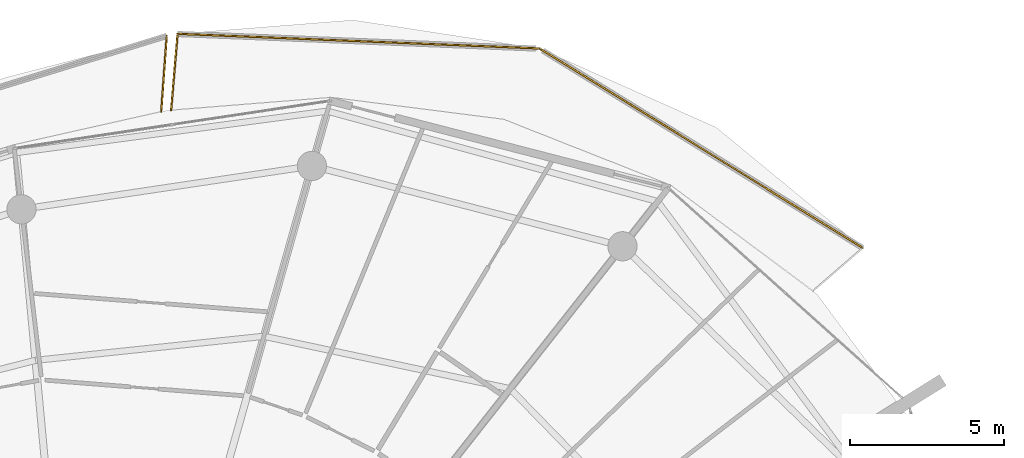
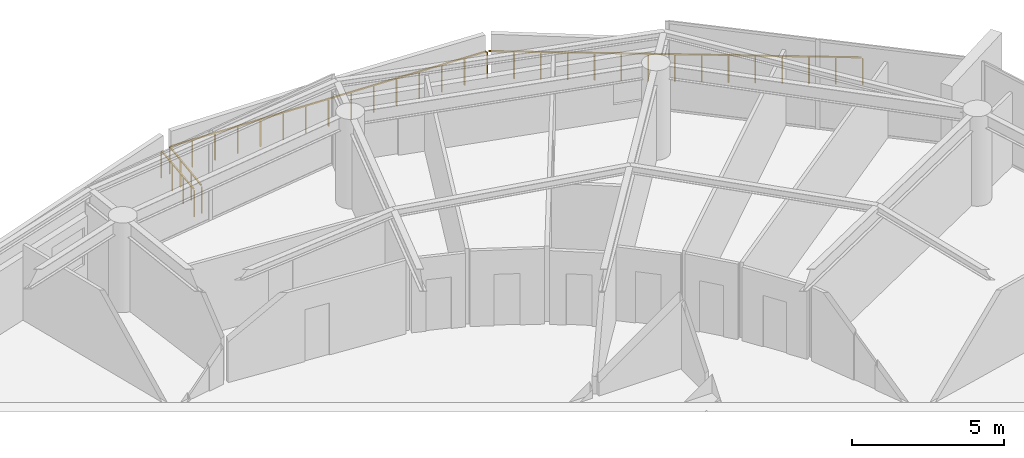
# One storey, part 29 of 29: 4 railings.
"""IFC4 building model written with IfcOpenShell, lengths in metres."""

import ifcopenshell
import ifcopenshell.guid

model = None  # the IFC model being written
_history = None  # IfcOwnerHistory: only IFC2X3 demands one
_inside = {}  # id of a spatial element -> (the spatial element, [elements in it])
_under = {}  # id of a project, library or spatial element -> (it, [spatial elements below it])
_declared = {}  # id of a project -> (the project, [libraries it declares])
_typed = {}  # id of a type object -> (the type object, [elements of that type])
_made_of = {}  # id of a material, layer set ... -> (it, [elements and type objects made of it])


def new_model(schema):
    """Start an empty IFC model of exactly this schema.

    Asked for "IFC4X3", IfcOpenShell would pick the latest addendum, in which some entities
    have other attributes; the version numbers below select the first issue.
    IFC2X3 requires an IfcOwnerHistory on every rooted entity: one is made here for all.
    """
    global model, _history
    if schema == "IFC4X3":
        model = ifcopenshell.file(schema_version=(4, 3, 0, 0))
    else:
        model = ifcopenshell.file(schema=schema)
    _inside.clear()
    _under.clear()
    _declared.clear()
    _typed.clear()
    _made_of.clear()
    _history = None
    if model.schema == "IFC2X3":
        org = make("IfcOrganization", Name="unknown")
        user = make(
            "IfcPersonAndOrganization",
            ThePerson=make("IfcPerson", FamilyName="unknown"),
            TheOrganization=org,
        )
        app = make(
            "IfcApplication",
            ApplicationDeveloper=org,
            Version="unknown",
            ApplicationFullName="unknown",
            ApplicationIdentifier="unknown",
        )
        _history = make(
            "IfcOwnerHistory",
            OwningUser=user,
            OwningApplication=app,
            ChangeAction="ADDED",
            CreationDate=0,
        )
    return model


def make(cls, **values):
    """One entity of the class cls with the attributes given. An attribute that is None is left unset."""
    return model.create_entity(
        cls, **{name: value for name, value in values.items() if value is not None}
    )


def rooted(cls, **values):
    """An entity with a GlobalId (a new one), such as an element, a storey or a relation."""
    return make(cls, GlobalId=ifcopenshell.guid.new(), OwnerHistory=_history, **values)


def si_unit(unit_type, name, prefix=None):
    """IfcSIUnit, for example si_unit("LENGTHUNIT", "METRE", prefix="MILLI")."""
    return make("IfcSIUnit", UnitType=unit_type, Prefix=prefix, Name=name)


def assignment(units):
    """IfcUnitAssignment: the units of a project."""
    return None if units is None else make("IfcUnitAssignment", Units=units)


def point(xyz):
    """IfcCartesianPoint."""
    return None if xyz is None else make("IfcCartesianPoint", Coordinates=xyz)


def direction(xyz):
    """IfcDirection."""
    return None if xyz is None else make("IfcDirection", DirectionRatios=xyz)


def frame(location, z_axis=None, x_axis=None):
    """IfcAxis2Placement3D, a coordinate frame: its origin and axes. An axis left out is left unset."""
    return make(
        "IfcAxis2Placement3D",
        Location=point(location),
        Axis=direction(z_axis),
        RefDirection=direction(x_axis),
    )


def frame_2d(location, x_axis=None):
    """IfcAxis2Placement2D, a coordinate frame in the plane: its origin and x axis."""
    return make(
        "IfcAxis2Placement2D", Location=point(location), RefDirection=direction(x_axis)
    )


def origin():
    """The frame at (0, 0, 0) with its axes left unset."""
    return frame((0.0, 0.0, 0.0))


def origin_2d():
    """The frame at (0, 0) in the plane with its x axis left unset."""
    return frame_2d((0.0, 0.0))


def place(relative_to, where):
    """IfcLocalPlacement: puts the frame where relative to a parent placement (None: the world)."""
    return make(
        "IfcLocalPlacement", PlacementRelTo=relative_to, RelativePlacement=where
    )


def context(
    kind, dimensions, precision=None, world=None, true_north=None, identifier=None
):
    """IfcGeometricRepresentationContext, for example the 3D "Model" context."""
    return make(
        "IfcGeometricRepresentationContext",
        ContextIdentifier=identifier,
        ContextType=kind,
        CoordinateSpaceDimension=dimensions,
        Precision=precision,
        WorldCoordinateSystem=world,
        TrueNorth=true_north,
    )


def subcontext(parent, identifier, kind, view, scale=None):
    """IfcGeometricRepresentationSubContext, for example "Body" below "Model"."""
    return make(
        "IfcGeometricRepresentationSubContext",
        ContextIdentifier=identifier,
        ContextType=kind,
        ParentContext=parent,
        TargetScale=scale,
        TargetView=view,
    )


def project(units=None, contexts=None):
    """IfcProject with its units and contexts."""
    return rooted(
        "IfcProject",
        Name="project",
        RepresentationContexts=contexts,
        UnitsInContext=assignment(units),
    )


def spatial(cls, under=None, at=None, **own):
    """A site, building, storey or space (cls), placed at a placement, below another one or the project."""
    s = rooted(cls, ObjectPlacement=at, **own)
    if under is not None:
        _under.setdefault(under.id(), (under, []))[1].append(s)
    return s


def profile(cls, at=None, kind="AREA", **sizes):
    """A parametric profile (cls). Its sizes go by their IFC names, for example OverallWidth=200.0."""
    return make(cls, ProfileType=kind, Position=at, **sizes)


def rectangle(**sizes):
    """IfcRectangleProfileDef."""
    return profile("IfcRectangleProfileDef", **sizes)


def extrude(swept, where, along, depth):
    """IfcExtrudedAreaSolid: the profile swept, set in the frame where, extruded along a direction by depth."""
    return make(
        "IfcExtrudedAreaSolid",
        SweptArea=swept,
        Position=where,
        ExtrudedDirection=direction(along),
        Depth=depth,
    )


def shape(context_of_items, identifier, shape_type, items):
    """IfcShapeRepresentation: the items that make up one representation, for example the "Body"."""
    return make(
        "IfcShapeRepresentation",
        ContextOfItems=context_of_items,
        RepresentationIdentifier=identifier,
        RepresentationType=shape_type,
        Items=items,
    )


def material(Name=None, Category=None):
    """IfcMaterial."""
    return make("IfcMaterial", Name=Name, Category=Category)


def made_of(thing, what):
    """Note that an element or type object is made of a material, layer set ...; save() writes the relation."""
    if what is not None:
        _made_of.setdefault(what.id(), (what, []))[1].append(thing)
    return thing


def type_object(cls, material=None, **own):
    """A type object (cls), such as IfcWallType, which elements share."""
    return made_of(rooted(cls, **own), material)


def element(
    cls,
    number,
    at=None,
    inside=None,
    cuts=None,
    type_object=None,
    material=None,
    context=None,
    identifier="Body",
    shape_type=None,
    held_by="IfcProductDefinitionShape",
    body=None,
    shapes=None,
    **own,
):
    """One element of the class cls, such as IfcWall. Its Tag is "e" and its number.

    at: its placement. inside: the storey or other place that contains it. cuts: it is an
    opening in that element (IfcRelVoidsElement). A single representation is given by context,
    identifier, shape_type and body (its items); several are given by shapes. held_by: the class
    of the entity that holds the representations. save() writes the other relations.
    """
    e = rooted(cls, Tag="e%d" % number, ObjectPlacement=at, **own)
    if body is not None:
        shapes = [shape(context, identifier, shape_type, body)]
    if shapes is not None:
        e.Representation = make(held_by, Representations=shapes)
    if inside is not None:
        _inside.setdefault(inside.id(), (inside, []))[1].append(e)
    if cuts is not None:
        rooted(
            "IfcRelVoidsElement", RelatingBuildingElement=cuts, RelatedOpeningElement=e
        )
    if type_object is not None:
        _typed.setdefault(type_object.id(), (type_object, []))[1].append(e)
    return made_of(e, material)


def aggregate(whole, parts):
    """IfcRelAggregates: a whole, such as a stair, and the parts it consists of."""
    return rooted("IfcRelAggregates", RelatingObject=whole, RelatedObjects=parts)


def save(model, path):
    """Write the relations noted so far, then the file.

    IfcRelAggregates (storeys below a building ...), IfcRelContainedInSpatialStructure (elements
    in a storey), IfcRelDefinesByType, IfcRelAssociatesMaterial and IfcRelDeclares: one each for
    every whole, place, type object, material and project.
    """
    for whole, parts in _under.values():
        aggregate(whole, parts)
    for where, things in _inside.values():
        rooted(
            "IfcRelContainedInSpatialStructure",
            RelatedElements=things,
            RelatingStructure=where,
        )
    for kind, things in _typed.values():
        rooted("IfcRelDefinesByType", RelatedObjects=things, RelatingType=kind)
    for what, things in _made_of.values():
        rooted("IfcRelAssociatesMaterial", RelatedObjects=things, RelatingMaterial=what)
    for by, libraries in _declared.values():
        rooted("IfcRelDeclares", RelatingContext=by, RelatedDefinitions=libraries)
    model.write(path)


model = new_model("IFC4")

# Units and contexts
model_context = context("Model", 3, precision=1e-05, world=origin(), true_north=direction((0.0, 1.0)))
body_context = subcontext(model_context, "Body", "Model", "MODEL_VIEW")
ifc_project = project(units=[si_unit("LENGTHUNIT", "METRE"), si_unit("AREAUNIT", "SQUARE_METRE"), si_unit("VOLUMEUNIT", "CUBIC_METRE"), si_unit("PLANEANGLEUNIT", "RADIAN"), si_unit("MASSUNIT", "GRAM", prefix="KILO")], contexts=[model_context])

# Site, building, storey
site_placement = place(None, origin())
site = spatial("IfcSite", under=ifc_project, at=site_placement, CompositionType="ELEMENT")
building_placement = place(site_placement, origin())
building = spatial("IfcBuilding", under=site, at=building_placement, Name="Kazma Halo Residences", CompositionType="ELEMENT")
storey_placement = place(building_placement, frame((0.0, 0.0, 286.75)))
storey = spatial("IfcBuildingStorey", under=building, at=storey_placement, Name="L72", CompositionType="ELEMENT", Elevation=286.75)

# Railings
ifc_material = material(Name="Aluminium AW-6063 T6 Brushed Cap Rail", Category="aluminium")
railing_type = type_object("IfcRailingType", Name="RLG-BAL-CAP-1120", PredefinedType="BALUSTRADE", material=ifc_material)
railing_1_placement = place(storey_placement, frame((72.651611328125, 63.31640625, 0.0)))
element("IfcRailing", 1, at=railing_1_placement, inside=storey, type_object=railing_type, Name="L72 NE wave balcony guard 2", PredefinedType="BALUSTRADE", context=body_context, shape_type="SweptSolid", body=[
    extrude(rectangle(XDim=0.050048828125, YDim=0.050048828125, at=origin_2d()), frame((-0.0361328125, 0.0224609375, 1.09521484375), z_axis=(-0.85090135907, 0.525325496367, 0.0), x_axis=(-0.525325496367, -0.85090135907, 0.0)), (0.0, 0.0, 1.0), 12.24365234375),
    extrude(rectangle(XDim=0.0400390625, YDim=0.0400390625, at=origin_2d()), origin(), (0.0, 0.0, 1.0), 1.05810546875),
    extrude(rectangle(XDim=0.0400390625, YDim=0.0400390625, at=origin_2d()), frame((-0.749267578125, 0.462646484375, 0.0)), (0.0, 0.0, 1.0), 1.05810546875),
    extrude(rectangle(XDim=0.0400390625, YDim=0.0400390625, at=origin_2d()), frame((-1.49853515625, 0.92529296875, 0.0)), (0.0, 0.0, 1.0), 1.05810546875),
    extrude(rectangle(XDim=0.0400390625, YDim=0.0400390625, at=origin_2d()), frame((-2.248046875, 1.387939453125, 0.0)), (0.0, 0.0, 1.0), 1.05810546875),
    extrude(rectangle(XDim=0.0400390625, YDim=0.0400390625, at=origin_2d()), frame((-2.997314453125, 1.850341796875, 0.0)), (0.0, 0.0, 1.0), 1.05810546875),
    extrude(rectangle(XDim=0.0400390625, YDim=0.0400390625, at=origin_2d()), frame((-3.74658203125, 2.31298828125, 0.0)), (0.0, 0.0, 1.0), 1.05810546875),
    extrude(rectangle(XDim=0.0400390625, YDim=0.0400390625, at=origin_2d()), frame((-4.495849609375, 2.775634765625, 0.0)), (0.0, 0.0, 1.0), 1.05810546875),
    extrude(rectangle(XDim=0.0400390625, YDim=0.0400390625, at=origin_2d()), frame((-5.2451171875, 3.23828125, 0.0)), (0.0, 0.0, 1.0), 1.05810546875),
    extrude(rectangle(XDim=0.0400390625, YDim=0.0400390625, at=origin_2d()), frame((-5.99462890625, 3.700927734375, 0.0)), (0.0, 0.0, 1.0), 1.05810546875),
    extrude(rectangle(XDim=0.0400390625, YDim=0.0400390625, at=origin_2d()), frame((-6.743896484375, 4.16357421875, 0.0)), (0.0, 0.0, 1.0), 1.05810546875),
    extrude(rectangle(XDim=0.0400390625, YDim=0.0400390625, at=origin_2d()), frame((-7.4931640625, 4.626220703125, 0.0)), (0.0, 0.0, 1.0), 1.05810546875),
    extrude(rectangle(XDim=0.0400390625, YDim=0.0400390625, at=origin_2d()), frame((-8.242431640625, 5.088623046875, 0.0)), (0.0, 0.0, 1.0), 1.05810546875),
    extrude(rectangle(XDim=0.0400390625, YDim=0.0400390625, at=origin_2d()), frame((-8.991943359375, 5.55126953125, 0.0)), (0.0, 0.0, 1.0), 1.05810546875),
    extrude(rectangle(XDim=0.0400390625, YDim=0.0400390625, at=origin_2d()), frame((-9.7412109375, 6.013916015625, 0.0)), (0.0, 0.0, 1.0), 1.05810546875),
    extrude(rectangle(XDim=0.0400390625, YDim=0.0400390625, at=origin_2d()), frame((-10.490478515625, 6.4765625, 0.0)), (0.0, 0.0, 1.0), 1.05810546875),
])
railing_2_placement = place(storey_placement, frame((62.1611328125, 69.79296875, 0.0)))
element("IfcRailing", 2, at=railing_2_placement, inside=storey, type_object=railing_type, Name="L72 NE wave balcony guard 3", PredefinedType="BALUSTRADE", context=body_context, shape_type="SweptSolid", body=[
    extrude(rectangle(XDim=0.050048828125, YDim=0.050048828125, at=origin_2d()), frame((-0.04248046875, 0.001708984375, 1.09521484375), z_axis=(-0.999178574478, 0.04052377456, 0.0), x_axis=(-0.04052377456, -0.999178574478, 0.0)), (0.0, 0.0, 1.0), 11.68701171875),
    extrude(rectangle(XDim=0.0400390625, YDim=0.0400390625, at=origin_2d()), origin(), (0.0, 0.0, 1.0), 1.05810546875),
    extrude(rectangle(XDim=0.0400390625, YDim=0.0400390625, at=origin_2d()), frame((-0.840087890625, 0.0341796875, 0.0)), (0.0, 0.0, 1.0), 1.05810546875),
    extrude(rectangle(XDim=0.0400390625, YDim=0.0400390625, at=origin_2d()), frame((-1.680419921875, 0.068115234375, 0.0)), (0.0, 0.0, 1.0), 1.05810546875),
    extrude(rectangle(XDim=0.0400390625, YDim=0.0400390625, at=origin_2d()), frame((-2.5205078125, 0.102294921875, 0.0)), (0.0, 0.0, 1.0), 1.05810546875),
    extrude(rectangle(XDim=0.0400390625, YDim=0.0400390625, at=origin_2d()), frame((-3.360595703125, 0.13623046875, 0.0)), (0.0, 0.0, 1.0), 1.05810546875),
    extrude(rectangle(XDim=0.0400390625, YDim=0.0400390625, at=origin_2d()), frame((-4.200927734375, 0.17041015625, 0.0)), (0.0, 0.0, 1.0), 1.05810546875),
    extrude(rectangle(XDim=0.0400390625, YDim=0.0400390625, at=origin_2d()), frame((-5.041015625, 0.204345703125, 0.0)), (0.0, 0.0, 1.0), 1.05810546875),
    extrude(rectangle(XDim=0.0400390625, YDim=0.0400390625, at=origin_2d()), frame((-5.88134765625, 0.238525390625, 0.0)), (0.0, 0.0, 1.0), 1.05810546875),
    extrude(rectangle(XDim=0.0400390625, YDim=0.0400390625, at=origin_2d()), frame((-6.721435546875, 0.272705078125, 0.0)), (0.0, 0.0, 1.0), 1.05810546875),
    extrude(rectangle(XDim=0.0400390625, YDim=0.0400390625, at=origin_2d()), frame((-7.5615234375, 0.306640625, 0.0)), (0.0, 0.0, 1.0), 1.05810546875),
    extrude(rectangle(XDim=0.0400390625, YDim=0.0400390625, at=origin_2d()), frame((-8.40185546875, 0.3408203125, 0.0)), (0.0, 0.0, 1.0), 1.05810546875),
    extrude(rectangle(XDim=0.0400390625, YDim=0.0400390625, at=origin_2d()), frame((-9.241943359375, 0.374755859375, 0.0)), (0.0, 0.0, 1.0), 1.05810546875),
    extrude(rectangle(XDim=0.0400390625, YDim=0.0400390625, at=origin_2d()), frame((-10.08203125, 0.408935546875, 0.0)), (0.0, 0.0, 1.0), 1.05810546875),
    extrude(rectangle(XDim=0.0400390625, YDim=0.0400390625, at=origin_2d()), frame((-10.92236328125, 0.44287109375, 0.0)), (0.0, 0.0, 1.0), 1.05810546875),
    extrude(rectangle(XDim=0.0400390625, YDim=0.0400390625, at=origin_2d()), frame((-11.762451171875, 0.47705078125, 0.0)), (0.0, 0.0, 1.0), 1.05810546875),
])
railing_3_placement = place(storey_placement, frame((50.398681640625, 70.27001953125, 0.0)))
element("IfcRailing", 3, at=railing_3_placement, inside=storey, type_object=railing_type, Name="L72 NE wave balcony guard 4", PredefinedType="BALUSTRADE", context=body_context, shape_type="SweptSolid", body=[
    extrude(rectangle(XDim=0.050048828125, YDim=0.050048828125, at=origin_2d()), frame((-0.003662109375, -0.04248046875, 1.09521484375), z_axis=(-0.084500948915, -0.996423398778, 0.0), x_axis=(0.996423398778, -0.084500948915, 0.0)), (0.0, 0.0, 1.0), 2.399658203125),
    extrude(rectangle(XDim=0.0400390625, YDim=0.0400390625, at=origin_2d()), origin(), (0.0, 0.0, 1.0), 1.05810546875),
    extrude(rectangle(XDim=0.0400390625, YDim=0.0400390625, at=origin_2d()), frame((-0.070068359375, -0.8251953125, 0.0)), (0.0, 0.0, 1.0), 1.05810546875),
    extrude(rectangle(XDim=0.0400390625, YDim=0.0400390625, at=origin_2d()), frame((-0.139892578125, -1.650634765625, 0.0)), (0.0, 0.0, 1.0), 1.05810546875),
    extrude(rectangle(XDim=0.0400390625, YDim=0.0400390625, at=origin_2d()), frame((-0.2099609375, -2.475830078125, 0.0)), (0.0, 0.0, 1.0), 1.05810546875),
])
railing_4_placement = place(storey_placement, frame((49.8681640625, 67.74609375, 0.0)))
element("IfcRailing", 4, at=railing_4_placement, inside=storey, type_object=railing_type, Name="L72 NNW wave balcony guard 1", PredefinedType="BALUSTRADE", context=body_context, shape_type="SweptSolid", body=[
    extrude(rectangle(XDim=0.050048828125, YDim=0.050048828125, at=origin_2d()), frame((0.003173828125, 0.04248046875, 1.09521484375), z_axis=(0.072365602414, 0.997378172805, 0.0), x_axis=(-0.997378172805, 0.072365602414, 0.0)), (0.0, 0.0, 1.0), 2.381103515625),
    extrude(rectangle(XDim=0.0400390625, YDim=0.0400390625, at=origin_2d()), origin(), (0.0, 0.0, 1.0), 1.05810546875),
    extrude(rectangle(XDim=0.0400390625, YDim=0.0400390625, at=origin_2d()), frame((0.0595703125, 0.81982421875, 0.0)), (0.0, 0.0, 1.0), 1.05810546875),
    extrude(rectangle(XDim=0.0400390625, YDim=0.0400390625, at=origin_2d()), frame((0.118896484375, 1.639892578125, 0.0)), (0.0, 0.0, 1.0), 1.05810546875),
    extrude(rectangle(XDim=0.0400390625, YDim=0.0400390625, at=origin_2d()), frame((0.178466796875, 2.459716796875, 0.0)), (0.0, 0.0, 1.0), 1.05810546875),
])

save(model, "model.ifc")
